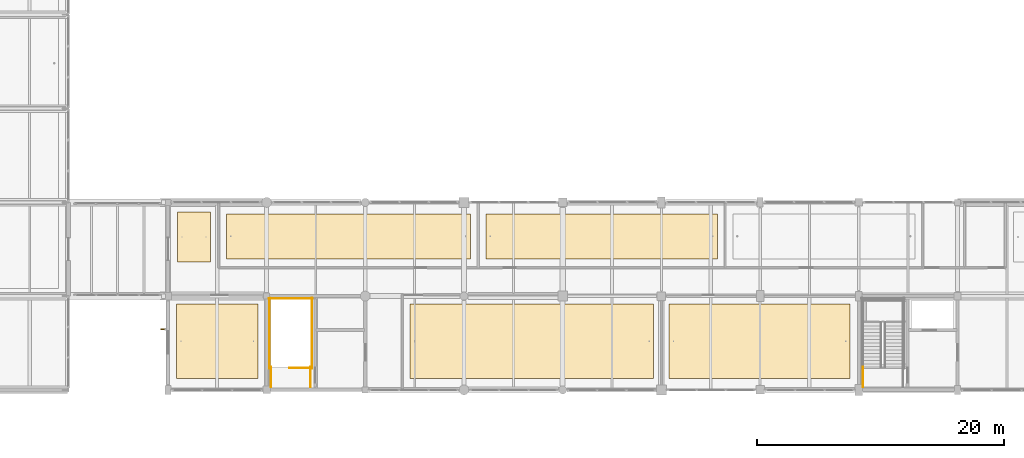
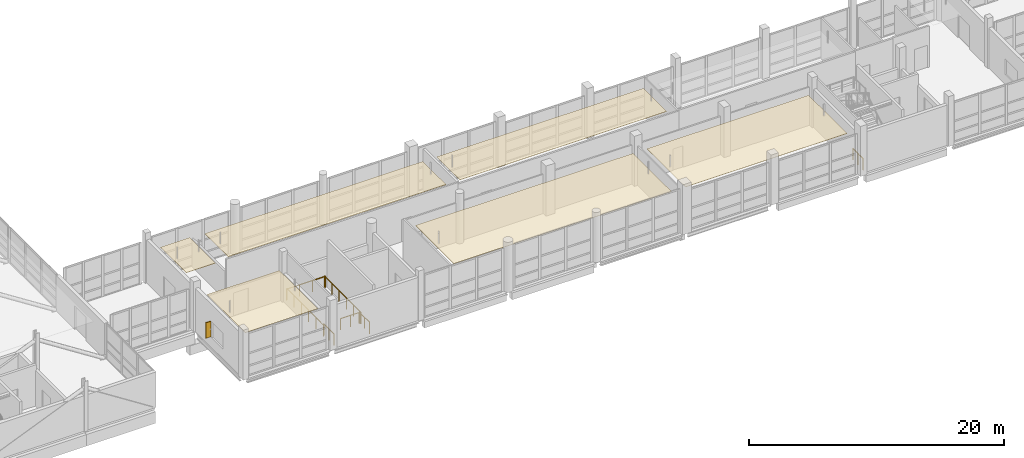
# One storey, part 133 of 141: 7 railings, 6 coverings, 1 shading device.
"""IFC4 building model written with IfcOpenShell, lengths in metres."""

from ifc_helpers import new_model, si_unit, direction, frame, origin, origin_2d, place, context, subcontext, project, spatial, polyline, rectangle, circle, outline, extrude, material, layer, layer_set, type_object, element, save


model = new_model("IFC4")

# Units and contexts
model_context = context("Model", 3, precision=1e-05, world=origin(), true_north=direction((0.0, 1.0)))
body_context = subcontext(model_context, "Body", "Model", "MODEL_VIEW")
ifc_project = project(units=[si_unit("LENGTHUNIT", "METRE"), si_unit("AREAUNIT", "SQUARE_METRE"), si_unit("VOLUMEUNIT", "CUBIC_METRE"), si_unit("PLANEANGLEUNIT", "RADIAN"), si_unit("MASSUNIT", "GRAM", prefix="KILO")], contexts=[model_context])

# Site, building, storey
site_placement = place(None, origin())
site = spatial("IfcSite", under=ifc_project, at=site_placement, CompositionType="ELEMENT")
building_placement = place(site_placement, origin())
building = spatial("IfcBuilding", under=site, at=building_placement, Name="Khelvaren Railside Concert Hall", CompositionType="ELEMENT")
storey_placement = place(building_placement, frame((0.0, 0.0, 10.199951171875)))
storey = spatial("IfcBuildingStorey", under=building, at=storey_placement, Name="L02", CompositionType="ELEMENT", Elevation=10.199951171875)

# Coverings
ifc_material_1 = material(Name="Mineral-wool acoustic baffle ceiling", Category="gypsum")
ifc_layer_1 = layer(ifc_material_1, 0.0400390625)
ifc_layer_set_1 = layer_set([ifc_layer_1], Name="Mineral-wool acoustic baffle ceiling")
covering_type_1 = type_object("IfcCoveringType", Name="CLG20", PredefinedType="CEILING", material=ifc_layer_set_1)
covering_1_placement = place(storey_placement, frame((0.0, 0.0, 3.41015625)))
element("IfcCovering", 1, at=covering_1_placement, inside=storey, type_object=covering_type_1, Name="Suspended Acoustic Ceiling V3 L02 West Bridge Foyer", PredefinedType="CEILING", context=body_context, shape_type="SweptSolid", body=[
    extrude(outline(polyline([(64.800048828125, 10.3701171875), (67.449951171875, 10.3701171875), (67.449951171875, 14.39990234375), (64.800048828125, 14.39990234375), (64.800048828125, 10.3701171875)])), origin(), (0.0, 0.0, 1.0), 0.039794921875),
])
covering_2_placement = place(storey_placement, frame((0.0, 0.0, 3.41015625)))
element("IfcCovering", 2, at=covering_2_placement, inside=storey, type_object=covering_type_1, Name="Suspended Acoustic Ceiling Music Archive High-Density Manuscript Stack B", PredefinedType="CEILING", context=body_context, shape_type="SweptSolid", body=[
    extrude(outline(polyline([(68.75, 10.6298828125), (88.510009765625, 10.6298828125), (88.510009765625, 14.27001953125), (68.75, 14.27001953125), (68.75, 10.6298828125)])), origin(), (0.0, 0.0, 1.0), 0.039794921875),
])
covering_3_placement = place(storey_placement, frame((0.0, 0.0, 3.41015625)))
element("IfcCovering", 3, at=covering_3_placement, inside=storey, type_object=covering_type_1, Name="Suspended Acoustic Ceiling Curatorial Cataloguing Office L02", PredefinedType="CEILING", context=body_context, shape_type="SweptSolid", body=[
    extrude(outline(polyline([(83.6298828125, 0.929931640625), (103.3701171875, 0.929931640625), (103.3701171875, 6.969970703125), (83.6298828125, 6.969970703125), (83.6298828125, 0.929931640625)])), origin(), (0.0, 0.0, 1.0), 0.039794921875),
])
ifc_material_2 = material(Name="Micro-perforated timber acoustic ceiling", Category="wood")
ifc_layer_2 = layer(ifc_material_2, 0.030029296875)
ifc_layer_set_2 = layer_set([ifc_layer_2], Name="Micro-perforated timber acoustic ceiling")
covering_type_2 = type_object("IfcCoveringType", Name="CLG77", PredefinedType="CEILING", material=ifc_layer_set_2)
covering_4_placement = place(storey_placement, frame((0.0, 0.0, 3.420166015625)))
element("IfcCovering", 4, at=covering_4_placement, inside=storey, type_object=covering_type_2, Name="Suspended Acoustic Ceiling Luthiery and Instrument Restoration Workshop", PredefinedType="CEILING", context=body_context, shape_type="SweptSolid", body=[
    extrude(outline(polyline([(89.77001953125, 10.6298828125), (108.529052734375, 10.6298828125), (108.529052734375, 14.27001953125), (89.77001953125, 14.27001953125), (89.77001953125, 10.6298828125)])), origin(), (0.0, 0.0, 1.0), 0.02978515625),
])
covering_5_placement = place(storey_placement, frame((0.0, 0.0, 3.420166015625)))
element("IfcCovering", 5, at=covering_5_placement, inside=storey, type_object=covering_type_2, Name="Suspended Acoustic Ceiling Archive West Study Alcove L02", PredefinedType="CEILING", context=body_context, shape_type="SweptSolid", body=[
    extrude(outline(polyline([(64.7099609375, 0.929931640625), (71.2900390625, 0.929931640625), (71.2900390625, 6.969970703125), (64.7099609375, 6.969970703125), (64.7099609375, 0.929931640625)])), origin(), (0.0, 0.0, 1.0), 0.02978515625),
])
covering_6_placement = place(storey_placement, frame((0.0, 0.0, 3.420166015625)))
element("IfcCovering", 6, at=covering_6_placement, inside=storey, type_object=covering_type_2, Name="Suspended Acoustic Ceiling Patron Membership Suite L02", PredefinedType="CEILING", context=body_context, shape_type="SweptSolid", body=[
    extrude(outline(polyline([(104.6298828125, 0.929931640625), (119.2900390625, 0.929931640625), (119.2900390625, 6.969970703125), (104.6298828125, 6.969970703125), (104.6298828125, 0.929931640625)])), origin(), (0.0, 0.0, 1.0), 0.02978515625),
])

# Railings
ifc_material_3 = material(Name="Painted architectural steel", Category="steel")
railing_type = type_object("IfcRailingType", Name="GRD86", PredefinedType="GUARDRAIL", material=ifc_material_3)
railing_1_placement = place(storey_placement, frame((75.6201171875, 1.7900390625, 0.0)))
element("IfcRailing", 7, at=railing_1_placement, inside=storey, type_object=railing_type, Name="L02 ST-05 top well guard 1", PredefinedType="GUARDRAIL", context=body_context, shape_type="SweptSolid", body=[
    extrude(circle(Radius=0.02392578125, at=origin_2d()), frame((0.0, 0.0, 1.076171875), z_axis=(-1.0, 0.0, 0.0), x_axis=(0.0, -1.0, 0.0)), (0.0, 0.0, 1.0), 1.760009765625),
    extrude(circle(Radius=0.02099609375, at=origin_2d()), origin(), (0.0, 0.0, 1.0), 1.052001953125),
    extrude(circle(Radius=0.02099609375, at=origin_2d()), frame((-0.8798828125, 0.0, 0.0)), (0.0, 0.0, 1.0), 1.052001953125),
    extrude(circle(Radius=0.02099609375, at=origin_2d()), frame((-1.760009765625, 0.0, 0.0)), (0.0, 0.0, 1.0), 1.052001953125),
])
for number, where, name in (
    (8, (75.669921875, 1.739990234375, 0.0), "L02 ST-05 top well guard 2"),
    (9, (72.25, 1.739990234375, 0.0), "L02 ST-05 top well guard 3"),
):
    element("IfcRailing", number, at=place(storey_placement, frame(where)), inside=storey, type_object=railing_type, Name=name, PredefinedType="GUARDRAIL", context=body_context, shape_type="SweptSolid", body=[
        extrude(circle(Radius=0.02392578125, at=origin_2d()), frame((0.0, 0.0, 1.076171875), z_axis=(0.0, 1.0, 0.0), x_axis=(-1.0, 0.0, 0.0)), (0.0, 0.0, 1.0), 5.719970703125),
        extrude(circle(Radius=0.02099609375, at=origin_2d()), origin(), (0.0, 0.0, 1.0), 1.052001953125),
        extrude(circle(Radius=0.02099609375, at=origin_2d()), frame((0.0, 1.14404296875, 0.0)), (0.0, 0.0, 1.0), 1.052001953125),
        extrude(circle(Radius=0.02099609375, at=origin_2d()), frame((0.0, 2.2880859375, 0.0)), (0.0, 0.0, 1.0), 1.052001953125),
        extrude(circle(Radius=0.02099609375, at=origin_2d()), frame((0.0, 3.431884765625, 0.0)), (0.0, 0.0, 1.0), 1.052001953125),
        extrude(circle(Radius=0.02099609375, at=origin_2d()), frame((0.0, 4.575927734375, 0.0)), (0.0, 0.0, 1.0), 1.052001953125),
        extrude(circle(Radius=0.02099609375, at=origin_2d()), frame((0.0, 5.719970703125, 0.0)), (0.0, 0.0, 1.0), 1.052001953125),
    ])
railing_2_placement = place(storey_placement, frame((75.719970703125, 7.409912109375, 0.0)))
element("IfcRailing", 10, at=railing_2_placement, inside=storey, type_object=railing_type, Name="L02 ST-05 top well guard 4", PredefinedType="GUARDRAIL", context=body_context, shape_type="SweptSolid", body=[
    extrude(circle(Radius=0.02392578125, at=origin_2d()), frame((0.0, 0.0, 1.076171875), z_axis=(-1.0, 0.0, 0.0), x_axis=(0.0, -1.0, 0.0)), (0.0, 0.0, 1.0), 3.52001953125),
    extrude(circle(Radius=0.02099609375, at=origin_2d()), origin(), (0.0, 0.0, 1.0), 1.052001953125),
    extrude(circle(Radius=0.02099609375, at=origin_2d()), frame((-1.17333984375, 0.0, 0.0)), (0.0, 0.0, 1.0), 1.052001953125),
    extrude(circle(Radius=0.02099609375, at=origin_2d()), frame((-2.3466796875, 0.0, 0.0)), (0.0, 0.0, 1.0), 1.052001953125),
    extrude(circle(Radius=0.02099609375, at=origin_2d()), frame((-3.52001953125, 0.0, 0.0)), (0.0, 0.0, 1.0), 1.052001953125),
])
for number, where, name in (
    (11, (75.570068359375, 0.239990234375, 0.0), "L02 ST-05 top well guard 5"),
    (12, (72.35009765625, 0.239990234375, 0.0), "L02 ST-05 top well guard 6"),
    (13, (120.35009765625, 0.239990234375, 0.0), "L02 ST-06 stair guard 9"),
):
    element("IfcRailing", number, at=place(storey_placement, frame(where)), inside=storey, type_object=railing_type, Name=name, PredefinedType="GUARDRAIL", context=body_context, shape_type="SweptSolid", body=[
        extrude(circle(Radius=0.02392578125, at=origin_2d()), frame((0.0, 0.0, 1.076171875), z_axis=(0.0, 1.0, 0.0), x_axis=(-1.0, 0.0, 0.0)), (0.0, 0.0, 1.0), 1.60009765625),
        extrude(circle(Radius=0.02099609375, at=origin_2d()), origin(), (0.0, 0.0, 1.0), 1.052001953125),
        extrude(circle(Radius=0.02099609375, at=origin_2d()), frame((0.0, 0.800048828125, 0.0)), (0.0, 0.0, 1.0), 1.052001953125),
        extrude(circle(Radius=0.02099609375, at=origin_2d()), frame((0.0, 1.60009765625, 0.0)), (0.0, 0.0, 1.0), 1.052001953125),
    ])

# Shading device
ifc_material_4 = material(Name="Anodised bronze aluminium 6063-T6", Category="aluminium")
shading_device_type = type_object("IfcShadingDeviceType", Name="SFN18", PredefinedType="USERDEFINED", material=ifc_material_4)
shading_device_placement = place(storey_placement, frame((63.635009765625, 4.91748046875, 0.949951171875), z_axis=(0.0, 0.0, 1.0), x_axis=(0.0, 1.0, 0.0)))
element("IfcShadingDevice", 14, at=shading_device_placement, inside=storey, type_object=shading_device_type, Name="Bronze Solar Shading Fin EW-V3-L02-W-0", ObjectType="SOLAR FIN", PredefinedType="USERDEFINED", context=body_context, shape_type="SweptSolid", body=[
    extrude(rectangle(XDim=0.080078125, YDim=0.449951171875, at=origin_2d()), origin(), (0.0, 0.0, 1.0), 1.5),
])

save(model, "model.ifc")
